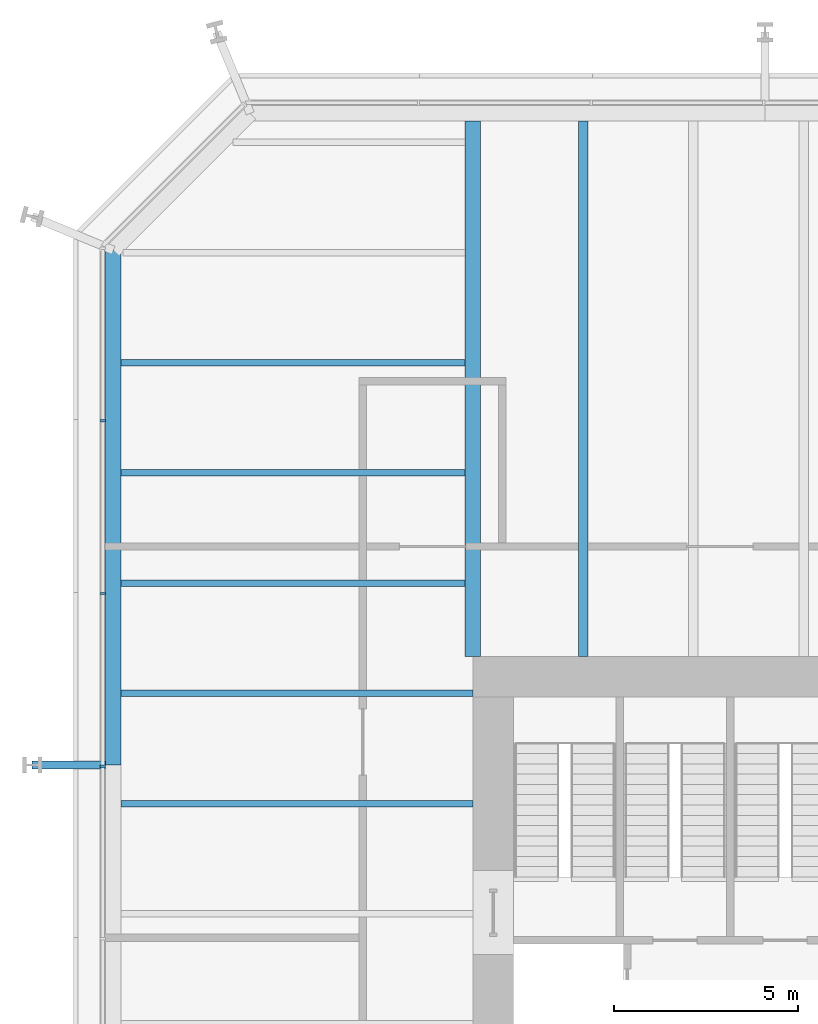
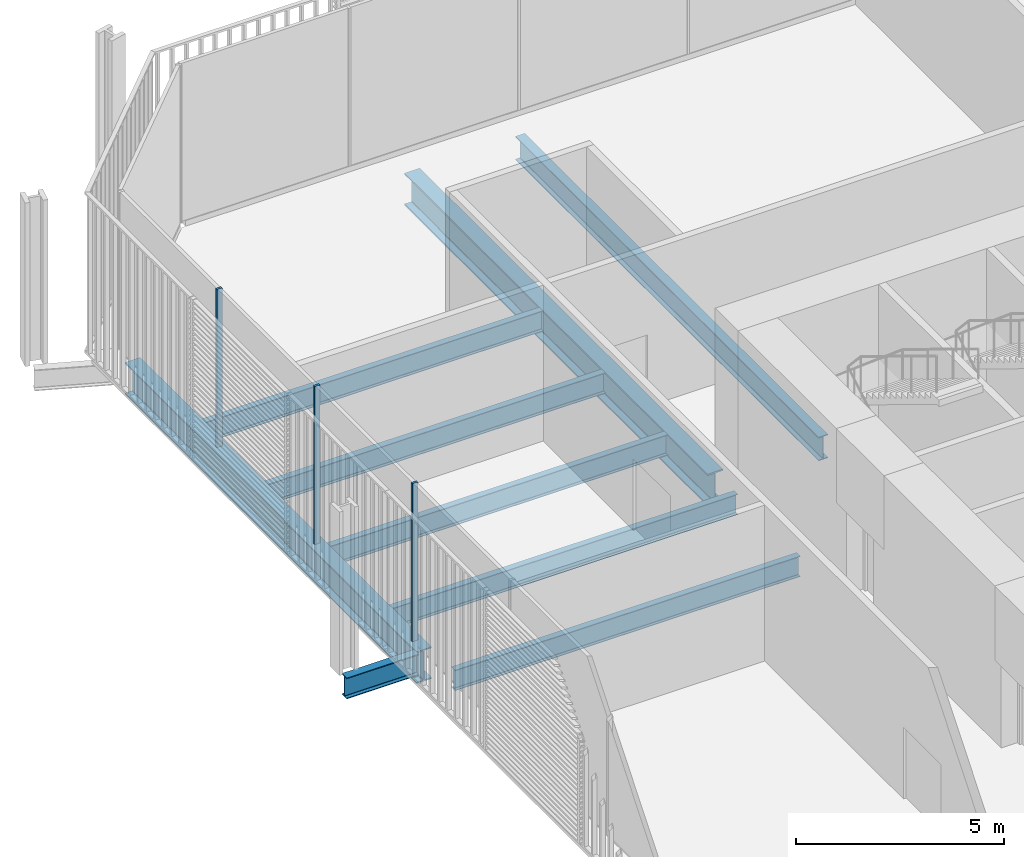
# One storey, part 12 of 22: 9 beams, 3 members, 1 element without a shape of its own.
"""IFC4 building model written with IfcOpenShell, lengths in metres."""

import ifcopenshell
import ifcopenshell.guid

model = None  # the IFC model being written
_history = None  # IfcOwnerHistory: only IFC2X3 demands one
_inside = {}  # id of a spatial element -> (the spatial element, [elements in it])
_under = {}  # id of a project, library or spatial element -> (it, [spatial elements below it])
_declared = {}  # id of a project -> (the project, [libraries it declares])
_typed = {}  # id of a type object -> (the type object, [elements of that type])
_made_of = {}  # id of a material, layer set ... -> (it, [elements and type objects made of it])


def new_model(schema):
    """Start an empty IFC model of exactly this schema.

    Asked for "IFC4X3", IfcOpenShell would pick the latest addendum, in which some entities
    have other attributes; the version numbers below select the first issue.
    IFC2X3 requires an IfcOwnerHistory on every rooted entity: one is made here for all.
    """
    global model, _history
    if schema == "IFC4X3":
        model = ifcopenshell.file(schema_version=(4, 3, 0, 0))
    else:
        model = ifcopenshell.file(schema=schema)
    _inside.clear()
    _under.clear()
    _declared.clear()
    _typed.clear()
    _made_of.clear()
    _history = None
    if model.schema == "IFC2X3":
        org = make("IfcOrganization", Name="unknown")
        user = make(
            "IfcPersonAndOrganization",
            ThePerson=make("IfcPerson", FamilyName="unknown"),
            TheOrganization=org,
        )
        app = make(
            "IfcApplication",
            ApplicationDeveloper=org,
            Version="unknown",
            ApplicationFullName="unknown",
            ApplicationIdentifier="unknown",
        )
        _history = make(
            "IfcOwnerHistory",
            OwningUser=user,
            OwningApplication=app,
            ChangeAction="ADDED",
            CreationDate=0,
        )
    return model


def make(cls, **values):
    """One entity of the class cls with the attributes given. An attribute that is None is left unset."""
    return model.create_entity(
        cls, **{name: value for name, value in values.items() if value is not None}
    )


def rooted(cls, **values):
    """An entity with a GlobalId (a new one), such as an element, a storey or a relation."""
    return make(cls, GlobalId=ifcopenshell.guid.new(), OwnerHistory=_history, **values)


def si_unit(unit_type, name, prefix=None):
    """IfcSIUnit, for example si_unit("LENGTHUNIT", "METRE", prefix="MILLI")."""
    return make("IfcSIUnit", UnitType=unit_type, Prefix=prefix, Name=name)


def assignment(units):
    """IfcUnitAssignment: the units of a project."""
    return None if units is None else make("IfcUnitAssignment", Units=units)


def point(xyz):
    """IfcCartesianPoint."""
    return None if xyz is None else make("IfcCartesianPoint", Coordinates=xyz)


def direction(xyz):
    """IfcDirection."""
    return None if xyz is None else make("IfcDirection", DirectionRatios=xyz)


def frame(location, z_axis=None, x_axis=None):
    """IfcAxis2Placement3D, a coordinate frame: its origin and axes. An axis left out is left unset."""
    return make(
        "IfcAxis2Placement3D",
        Location=point(location),
        Axis=direction(z_axis),
        RefDirection=direction(x_axis),
    )


def frame_2d(location, x_axis=None):
    """IfcAxis2Placement2D, a coordinate frame in the plane: its origin and x axis."""
    return make(
        "IfcAxis2Placement2D", Location=point(location), RefDirection=direction(x_axis)
    )


def origin():
    """The frame at (0, 0, 0) with its axes left unset."""
    return frame((0.0, 0.0, 0.0))


def origin_2d():
    """The frame at (0, 0) in the plane with its x axis left unset."""
    return frame_2d((0.0, 0.0))


def place(relative_to, where):
    """IfcLocalPlacement: puts the frame where relative to a parent placement (None: the world)."""
    return make(
        "IfcLocalPlacement", PlacementRelTo=relative_to, RelativePlacement=where
    )


def context(
    kind, dimensions, precision=None, world=None, true_north=None, identifier=None
):
    """IfcGeometricRepresentationContext, for example the 3D "Model" context."""
    return make(
        "IfcGeometricRepresentationContext",
        ContextIdentifier=identifier,
        ContextType=kind,
        CoordinateSpaceDimension=dimensions,
        Precision=precision,
        WorldCoordinateSystem=world,
        TrueNorth=true_north,
    )


def subcontext(parent, identifier, kind, view, scale=None):
    """IfcGeometricRepresentationSubContext, for example "Body" below "Model"."""
    return make(
        "IfcGeometricRepresentationSubContext",
        ContextIdentifier=identifier,
        ContextType=kind,
        ParentContext=parent,
        TargetScale=scale,
        TargetView=view,
    )


def project(units=None, contexts=None):
    """IfcProject with its units and contexts."""
    return rooted(
        "IfcProject",
        Name="project",
        RepresentationContexts=contexts,
        UnitsInContext=assignment(units),
    )


def spatial(cls, under=None, at=None, **own):
    """A site, building, storey or space (cls), placed at a placement, below another one or the project."""
    s = rooted(cls, ObjectPlacement=at, **own)
    if under is not None:
        _under.setdefault(under.id(), (under, []))[1].append(s)
    return s


def profile(cls, at=None, kind="AREA", **sizes):
    """A parametric profile (cls). Its sizes go by their IFC names, for example OverallWidth=200.0."""
    return make(cls, ProfileType=kind, Position=at, **sizes)


def rectangle(**sizes):
    """IfcRectangleProfileDef."""
    return profile("IfcRectangleProfileDef", **sizes)


def i_section(**sizes):
    """IfcIShapeProfileDef."""
    return profile("IfcIShapeProfileDef", **sizes)


def extrude(swept, where, along, depth):
    """IfcExtrudedAreaSolid: the profile swept, set in the frame where, extruded along a direction by depth."""
    return make(
        "IfcExtrudedAreaSolid",
        SweptArea=swept,
        Position=where,
        ExtrudedDirection=direction(along),
        Depth=depth,
    )


def shape(context_of_items, identifier, shape_type, items):
    """IfcShapeRepresentation: the items that make up one representation, for example the "Body"."""
    return make(
        "IfcShapeRepresentation",
        ContextOfItems=context_of_items,
        RepresentationIdentifier=identifier,
        RepresentationType=shape_type,
        Items=items,
    )


def material(Name=None, Category=None):
    """IfcMaterial."""
    return make("IfcMaterial", Name=Name, Category=Category)


def layer(
    of_material, thickness, ventilated=None, Name=None, Category=None, Priority=None
):
    """IfcMaterialLayer: one layer of a wall or slab, of a material (None: an air gap)."""
    return make(
        "IfcMaterialLayer",
        Material=of_material,
        LayerThickness=thickness,
        IsVentilated=ventilated,
        Name=Name,
        Category=Category,
        Priority=Priority,
    )


def layer_set(layers, Name=None):
    """IfcMaterialLayerSet."""
    return make("IfcMaterialLayerSet", MaterialLayers=layers, LayerSetName=Name)


def material_profile(
    of_material, cross_section, Name=None, Category=None, Priority=None
):
    """IfcMaterialProfile: a cross section and its material."""
    return make(
        "IfcMaterialProfile",
        Name=Name,
        Material=of_material,
        Profile=cross_section,
        Priority=Priority,
        Category=Category,
    )


def profile_set(profiles, Name=None, composite=None):
    """IfcMaterialProfileSet."""
    return make(
        "IfcMaterialProfileSet",
        Name=Name,
        MaterialProfiles=profiles,
        CompositeProfile=composite,
    )


def made_of(thing, what):
    """Note that an element or type object is made of a material, layer set ...; save() writes the relation."""
    if what is not None:
        _made_of.setdefault(what.id(), (what, []))[1].append(thing)
    return thing


def type_object(cls, material=None, **own):
    """A type object (cls), such as IfcWallType, which elements share."""
    return made_of(rooted(cls, **own), material)


def element(
    cls,
    number,
    at=None,
    inside=None,
    cuts=None,
    type_object=None,
    material=None,
    context=None,
    identifier="Body",
    shape_type=None,
    held_by="IfcProductDefinitionShape",
    body=None,
    shapes=None,
    **own,
):
    """One element of the class cls, such as IfcWall. Its Tag is "e" and its number.

    at: its placement. inside: the storey or other place that contains it. cuts: it is an
    opening in that element (IfcRelVoidsElement). A single representation is given by context,
    identifier, shape_type and body (its items); several are given by shapes. held_by: the class
    of the entity that holds the representations. save() writes the other relations.
    """
    e = rooted(cls, Tag="e%d" % number, ObjectPlacement=at, **own)
    if body is not None:
        shapes = [shape(context, identifier, shape_type, body)]
    if shapes is not None:
        e.Representation = make(held_by, Representations=shapes)
    if inside is not None:
        _inside.setdefault(inside.id(), (inside, []))[1].append(e)
    if cuts is not None:
        rooted(
            "IfcRelVoidsElement", RelatingBuildingElement=cuts, RelatedOpeningElement=e
        )
    if type_object is not None:
        _typed.setdefault(type_object.id(), (type_object, []))[1].append(e)
    return made_of(e, material)


def aggregate(whole, parts):
    """IfcRelAggregates: a whole, such as a stair, and the parts it consists of."""
    return rooted("IfcRelAggregates", RelatingObject=whole, RelatedObjects=parts)


def save(model, path):
    """Write the relations noted so far, then the file.

    IfcRelAggregates (storeys below a building ...), IfcRelContainedInSpatialStructure (elements
    in a storey), IfcRelDefinesByType, IfcRelAssociatesMaterial and IfcRelDeclares: one each for
    every whole, place, type object, material and project.
    """
    for whole, parts in _under.values():
        aggregate(whole, parts)
    for where, things in _inside.values():
        rooted(
            "IfcRelContainedInSpatialStructure",
            RelatedElements=things,
            RelatingStructure=where,
        )
    for kind, things in _typed.values():
        rooted("IfcRelDefinesByType", RelatedObjects=things, RelatingType=kind)
    for what, things in _made_of.values():
        rooted("IfcRelAssociatesMaterial", RelatedObjects=things, RelatingMaterial=what)
    for by, libraries in _declared.values():
        rooted("IfcRelDeclares", RelatingContext=by, RelatedDefinitions=libraries)
    model.write(path)


model = new_model("IFC4")

# Units and contexts
model_context = context("Model", 3, precision=1e-05, world=origin(), true_north=direction((0.0, 1.0)))
body_context = subcontext(model_context, "Body", "Model", "MODEL_VIEW")
ifc_project = project(units=[si_unit("LENGTHUNIT", "METRE"), si_unit("AREAUNIT", "SQUARE_METRE"), si_unit("VOLUMEUNIT", "CUBIC_METRE"), si_unit("PLANEANGLEUNIT", "RADIAN"), si_unit("MASSUNIT", "GRAM", prefix="KILO")], contexts=[model_context])

# Site, building, storey
site_placement = place(None, origin())
site = spatial("IfcSite", under=ifc_project, at=site_placement, CompositionType="ELEMENT")
building_placement = place(site_placement, origin())
building = spatial("IfcBuilding", under=site, at=building_placement, Name="Millrace Tower", CompositionType="ELEMENT")
storey_placement = place(building_placement, frame((0.0, 0.0, 25.699951171875)))
storey = spatial("IfcBuildingStorey", under=building, at=storey_placement, Name="L06", CompositionType="ELEMENT", Elevation=25.699951171875)

# Curtain wall, members
ifc_material_1 = material(Name="Aluminium and glass", Category="aluminium")
ifc_layer = layer(ifc_material_1, 0.14990234375)
ifc_layer_set = layer_set([ifc_layer], Name="Aluminium and glass")
curtain_wall_type = type_object("IfcCurtainWallType", Name="CW-2 data hall insulated curtain wall", PredefinedType="NOTDEFINED", material=ifc_layer_set)
curtain_wall_placement = place(storey_placement, origin())
curtain_wall = element("IfcCurtainWall", 1, at=curtain_wall_placement, inside=storey, type_object=curtain_wall_type, Name="Curtain wall A-F08 L06", PredefinedType="NOTDEFINED")
ifc_material_2 = material(Name="Aluminium", Category="aluminium")
ifc_material_profile_1 = material_profile(ifc_material_2, rectangle(XDim=0.06494140625, YDim=0.14990234375, at=origin_2d()))
ifc_profile_set_1 = profile_set([ifc_material_profile_1], Name="Aluminium")
member_type = type_object("IfcMemberType", Name="CW-2 data hall insulated curtain wall mullion", PredefinedType="MULLION", material=ifc_profile_set_1)
member_1_placement = place(storey_placement, frame((-25.074951171875, 16.41748046875, 0.16015625), z_axis=(0.0, 0.0, 1.0), x_axis=(0.0, -1.0, 0.0)))
member_1 = element("IfcMember", 2, at=member_1_placement, type_object=member_type, Name="CW2 mullion A-F08.2", PredefinedType="MULLION", context=body_context, shape_type="SweptSolid", body=[
    extrude(rectangle(XDim=0.06494140625, YDim=0.14990234375, at=origin_2d()), origin(), (0.0, 0.0, 1.0), 4.639892578125),
])
member_2_placement = place(storey_placement, frame((-25.074951171875, 11.717529296875, 0.16015625), z_axis=(0.0, 0.0, 1.0), x_axis=(0.0, -1.0, 0.0)))
member_2 = element("IfcMember", 3, at=member_2_placement, type_object=member_type, Name="CW2 mullion A-F08.3", PredefinedType="MULLION", context=body_context, shape_type="SweptSolid", body=[
    extrude(rectangle(XDim=0.06494140625, YDim=0.14990234375, at=origin_2d()), origin(), (0.0, 0.0, 1.0), 4.639892578125),
])
member_3_placement = place(storey_placement, frame((-25.074951171875, 7.017578125, 0.16015625), z_axis=(0.0, 0.0, 1.0), x_axis=(0.0, -1.0, 0.0)))
member_3 = element("IfcMember", 4, at=member_3_placement, type_object=member_type, Name="CW2 mullion A-F08.4", PredefinedType="MULLION", context=body_context, shape_type="SweptSolid", body=[
    extrude(rectangle(XDim=0.06494140625, YDim=0.14990234375, at=origin_2d()), origin(), (0.0, 0.0, 1.0), 4.639892578125),
])
aggregate(curtain_wall, [member_1, member_2, member_3])

# Beams
ifc_material_3 = material(Name="Steel ASTM A992 Grade 50", Category="steel")
ifc_material_profile_2 = material_profile(ifc_material_3, i_section(OverallWidth=0.1787109375, OverallDepth=0.60205078125, WebThickness=0.010986328125, FlangeThickness=0.014892578125, FilletRadius=0.0126953125, at=origin_2d()))
ifc_profile_set_2 = profile_set([ifc_material_profile_2], Name="Steel ASTM A992 Grade 50")
beam_type_1 = type_object("IfcBeamType", Name="Floor beam W24x62", PredefinedType="JOIST", material=ifc_profile_set_2)
for number, where, z_axis, x_axis, name in (
    (5, (-24.578369140625, 6.0, -0.52587890625), (1.0, 0.0, 0.0), (0.0, 1.0, 0.0), "BM-A-L06-S1-S027"),
    (6, (-24.578369140625, 9.0, -0.52587890625), (1.0, 0.0, 0.0), (0.0, 1.0, 0.0), "BM-A-L06-S1-S030"),
):
    element("IfcBeam", number, at=place(storey_placement, frame(where, z_axis=z_axis, x_axis=x_axis)), inside=storey, type_object=beam_type_1, Name=name, PredefinedType="JOIST", context=body_context, shape_type="SweptSolid", body=[
        extrude(i_section(OverallWidth=0.1787109375, OverallDepth=0.60205078125, WebThickness=0.010986328125, FlangeThickness=0.014892578125, FilletRadius=0.0126953125, at=origin_2d()), origin(), (0.0, 0.0, 1.0), 9.578369140625),
    ])
for number, where, z_axis, x_axis, name in (
    (7, (-24.578369140625, 12.0, -0.52587890625), (1.0, 0.0, 0.0), (0.0, 1.0, 0.0), "BM-A-L06-S1-S032"),
    (8, (-24.578369140625, 15.0, -0.52587890625), (1.0, 0.0, 0.0), (0.0, 1.0, 0.0), "BM-A-L06-S1-S034"),
    (9, (-24.578369140625, 18.0, -0.52587890625), (1.0, 0.0, 0.0), (0.0, 1.0, 0.0), "BM-A-L06-S1-S036"),
):
    element("IfcBeam", number, at=place(storey_placement, frame(where, z_axis=z_axis, x_axis=x_axis)), inside=storey, type_object=beam_type_1, Name=name, PredefinedType="JOIST", context=body_context, shape_type="SweptSolid", body=[
        extrude(i_section(OverallWidth=0.1787109375, OverallDepth=0.60205078125, WebThickness=0.010986328125, FlangeThickness=0.014892578125, FilletRadius=0.0126953125, at=origin_2d()), origin(), (0.0, 0.0, 1.0), 9.3662109375),
    ])
ifc_material_4 = material(Name="Steel ASTM A992 Grade 50", Category="steel")
ifc_material_profile_3 = material_profile(ifc_material_4, i_section(OverallWidth=0.256591796875, OverallDepth=0.693359375, WebThickness=0.014404296875, FlangeThickness=0.023681640625, FilletRadius=0.01513671875, at=origin_2d()))
ifc_profile_set_3 = profile_set([ifc_material_profile_3], Name="Steel ASTM A992 Grade 50")
beam_type_2 = type_object("IfcBeamType", Name="Floor beam W27x114", PredefinedType="JOIST", material=ifc_profile_set_3)
beam_1_placement = place(storey_placement, frame((-12.0, 10.0, -0.57177734375), z_axis=(0.0, 1.0, 0.0), x_axis=(-1.0, 0.0, 0.0)))
element("IfcBeam", 10, at=beam_1_placement, inside=storey, type_object=beam_type_2, Name="BM-A-L06-S1-S042", PredefinedType="JOIST", context=body_context, shape_type="SweptSolid", body=[
    extrude(i_section(OverallWidth=0.256591796875, OverallDepth=0.693359375, WebThickness=0.014404296875, FlangeThickness=0.023681640625, FilletRadius=0.01513671875, at=origin_2d()), origin(), (0.0, 0.0, 1.0), 14.578369140625),
])
ifc_material_5 = material(Name="Steel ASTM A992 Grade 50", Category="steel")
ifc_material_profile_4 = material_profile(ifc_material_5, i_section(OverallWidth=0.424072265625, OverallDepth=0.947509765625, WebThickness=0.02392578125, FlangeThickness=0.042724609375, FilletRadius=0.024169921875, at=origin_2d()))
ifc_profile_set_4 = profile_set([ifc_material_profile_4], Name="Steel ASTM A992 Grade 50")
beam_type_3 = type_object("IfcBeamType", Name="Girder medium span W36x302", PredefinedType="BEAM", material=ifc_profile_set_4)
beam_2_placement = place(storey_placement, frame((-15.0, 10.0, -0.69873046875), z_axis=(0.0, 1.0, 0.0), x_axis=(-1.0, 0.0, 0.0)))
element("IfcBeam", 11, at=beam_2_placement, inside=storey, type_object=beam_type_3, Name="BM-A-L06-S1-G060", PredefinedType="BEAM", context=body_context, shape_type="SweptSolid", body=[
    extrude(i_section(OverallWidth=0.424072265625, OverallDepth=0.947509765625, WebThickness=0.02392578125, FlangeThickness=0.042724609375, FilletRadius=0.024169921875, at=origin_2d()), origin(), (0.0, 0.0, 1.0), 14.578369140625),
])
ifc_material_6 = material(Name="Steel ASTM A992 Grade 50", Category="steel")
ifc_material_profile_5 = material_profile(ifc_material_6, i_section(OverallWidth=0.23046875, OverallDepth=0.6171875, WebThickness=0.01318359375, FlangeThickness=0.022216796875, FilletRadius=0.012939453125, at=origin_2d()))
ifc_profile_set_5 = profile_set([ifc_material_profile_5], Name="Steel ASTM A992 Grade 50")
beam_type_4 = type_object("IfcBeamType", Name="Link beam W24x94", PredefinedType="BEAM", material=ifc_profile_set_5)
beam_3_placement = place(storey_placement, frame((-25.0, 7.050048828125, -0.533447265625), z_axis=(-1.0, 0.0, 0.0), x_axis=(0.0, -1.0, 0.0)))
element("IfcBeam", 12, at=beam_3_placement, inside=storey, type_object=beam_type_4, Name="LNK-A-L06-S1-03", PredefinedType="BEAM", context=body_context, shape_type="SweptSolid", body=[
    extrude(i_section(OverallWidth=0.23046875, OverallDepth=0.6171875, WebThickness=0.01318359375, FlangeThickness=0.022216796875, FilletRadius=0.012939453125, at=origin_2d()), origin(), (0.0, 0.0, 1.0), 2.0),
])
ifc_material_7 = material(Name="Steel ASTM A992 Grade 50", Category="steel")
ifc_material_profile_6 = material_profile(ifc_material_7, i_section(OverallWidth=0.421630859375, OverallDepth=0.937255859375, WebThickness=0.021240234375, FlangeThickness=0.03662109375, FilletRadius=0.024169921875, at=origin_2d()))
ifc_profile_set_6 = profile_set([ifc_material_profile_6], Name="Steel ASTM A992 Grade 50")
beam_type_5 = type_object("IfcBeamType", Name="Ring beam medium span W36x262", PredefinedType="SPANDREL", material=ifc_profile_set_6)
beam_4_placement = place(storey_placement, frame((-24.7890625, 7.050048828125, -0.693603515625), z_axis=(0.0, 1.0, 0.0), x_axis=(-1.0, 0.0, 0.0)))
element("IfcBeam", 13, at=beam_4_placement, inside=storey, type_object=beam_type_5, Name="RNG-A-L06-S1-03", PredefinedType="SPANDREL", context=body_context, shape_type="SweptSolid", body=[
    extrude(i_section(OverallWidth=0.421630859375, OverallDepth=0.937255859375, WebThickness=0.021240234375, FlangeThickness=0.03662109375, FilletRadius=0.024169921875, at=origin_2d()), origin(), (0.0, 0.0, 1.0), 14.0126953125),
])

save(model, "model.ifc")
